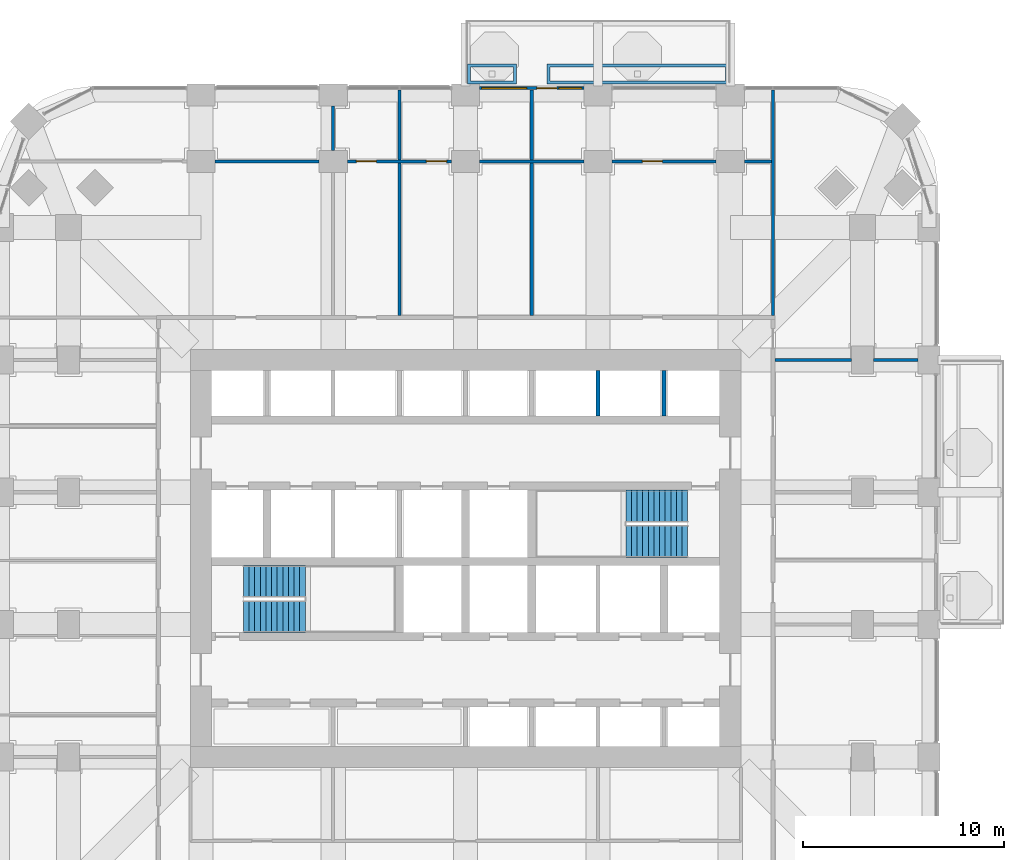
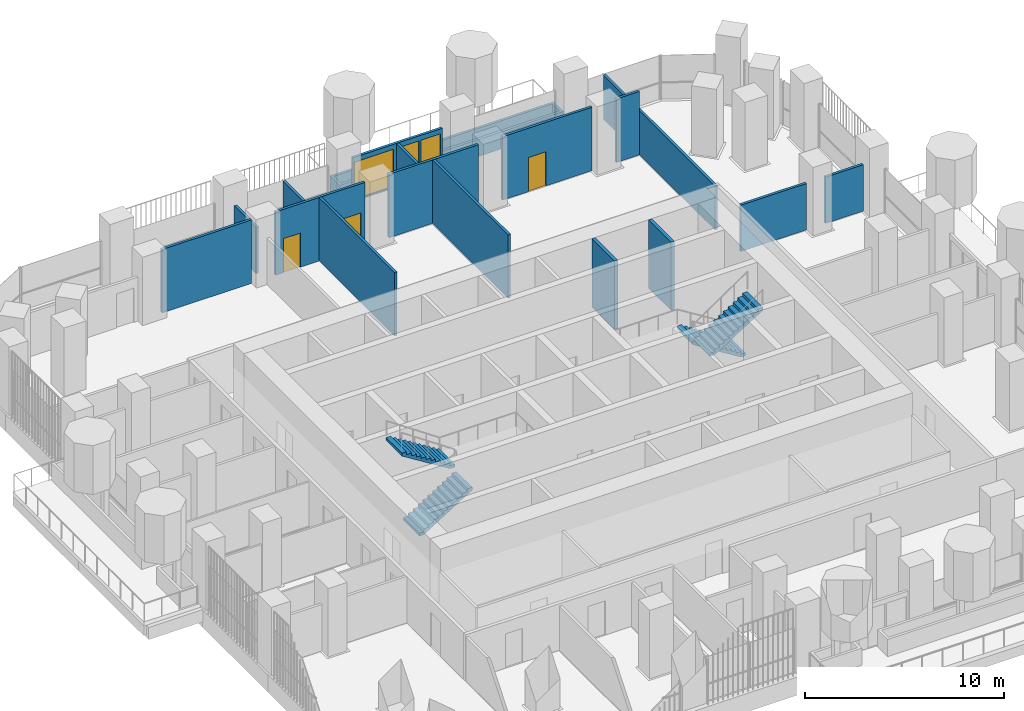
# One storey, part 17 of 22: 18 walls, 4 doors, 4 stair flights, 2 windows, 6 openings, 2 elements without a shape of their own.
"""IFC4 building model written with IfcOpenShell, lengths in metres."""

from ifc_helpers import new_model, si_unit, direction, frame, frame_2d, origin, place, context, subcontext, project, spatial, polyline, rectangle, outline, extrude, material, layer, layer_set, type_object, element, fill, aggregate, save


model = new_model("IFC4")

# Units and contexts
model_context = context("Model", 3, precision=1e-05, world=origin(), true_north=direction((0.0, 1.0)))
body_context = subcontext(model_context, "Body", "Model", "MODEL_VIEW")
ifc_project = project(units=[si_unit("LENGTHUNIT", "METRE"), si_unit("AREAUNIT", "SQUARE_METRE"), si_unit("VOLUMEUNIT", "CUBIC_METRE"), si_unit("PLANEANGLEUNIT", "RADIAN"), si_unit("MASSUNIT", "GRAM", prefix="KILO")], contexts=[model_context])

# Site, building, storey
site_placement = place(None, origin())
site = spatial("IfcSite", under=ifc_project, at=site_placement, CompositionType="ELEMENT")
building_placement = place(site_placement, origin())
building = spatial("IfcBuilding", under=site, at=building_placement, Name="Cobogo Forest Laboratory Tower", CompositionType="ELEMENT")
storey_placement = place(building_placement, frame((0.0, 0.0, 111.60009765625)))
storey = spatial("IfcBuildingStorey", under=building, at=storey_placement, Name="L25", CompositionType="ELEMENT", Elevation=111.60009765625)

# Wall, openings, door, windows
ifc_material_1 = material(Name="Aluminium framed glazed screen", Category="aluminium")
ifc_layer_1 = layer(ifc_material_1, 0.14990234375)
ifc_layer_set_1 = layer_set([ifc_layer_1], Name="GS1 glazed door screen 150")
wall_type_1 = type_object("IfcWallType", Name="GS1 glazed door screen 150", PredefinedType="SOLIDWALL", material=ifc_layer_set_1)
wall_1_placement = place(storey_placement, frame((32.300048828125, 46.550048828125, 0.0), z_axis=(0.0, 0.0, 1.0), x_axis=(-1.0, 0.0, 0.0)))
wall_1 = element("IfcWall", 1, at=wall_1_placement, inside=storey, type_object=wall_type_1, Name="Door screen BAL-N1 L25", PredefinedType="SOLIDWALL", context=body_context, shape_type="SweptSolid", body=[
    extrude(rectangle(XDim=5.199951171875, YDim=0.14990234375, at=frame_2d((2.60009765625, 0.0))), origin(), (0.0, 0.0, 1.0), 2.699951171875),
])
opening_1_placement = place(wall_1_placement, frame((1.35009765625, 0.0, 0.0)))
opening_1 = element("IfcOpeningElement", 2, at=opening_1_placement, cuts=wall_1, Name="Opening L25-D45", PredefinedType="OPENING", context=body_context, shape_type="SweptSolid", body=[
    extrude(rectangle(XDim=1.0, YDim=2.39990234375, at=frame_2d((0.5, 1.199951171875))), frame((0.0, 0.0849609375, 0.0), z_axis=(0.0, -1.0, 0.0), x_axis=(1.0, 0.0, 0.0)), (0.0, 0.0, 1.0), 0.169921875),
])
opening_2_placement = place(wall_1_placement, frame((0.10009765625, 0.0, 0.10009765625)))
opening_2 = element("IfcOpeningElement", 3, at=opening_2_placement, cuts=wall_1, Name="Opening L25-W08", PredefinedType="OPENING", context=body_context, shape_type="SweptSolid", body=[
    extrude(rectangle(XDim=1.14990234375, YDim=2.300048828125, at=frame_2d((0.574951171875, 1.14990234375))), frame((0.0, 0.0849609375, 0.0), z_axis=(0.0, -1.0, 0.0), x_axis=(1.0, 0.0, 0.0)), (0.0, 0.0, 1.0), 0.169921875),
])
opening_3_placement = place(wall_1_placement, frame((2.85009765625, 0.0, 0.10009765625)))
opening_3 = element("IfcOpeningElement", 4, at=opening_3_placement, cuts=wall_1, Name="Opening L25-W07", PredefinedType="OPENING", context=body_context, shape_type="SweptSolid", body=[
    extrude(rectangle(XDim=2.25, YDim=2.300048828125, at=frame_2d((1.125, 1.14990234375))), frame((0.0, 0.0849609375, 0.0), z_axis=(0.0, -1.0, 0.0), x_axis=(1.0, 0.0, 0.0)), (0.0, 0.0, 1.0), 0.169921875),
])
ifc_material_2 = material(Name="Aluminium glazed door", Category="aluminium")
door_type_1 = type_object("IfcDoorType", Name="DB1 balcony door 1000 glazed", OperationType="SINGLE_SWING_LEFT", PredefinedType="DOOR", material=ifc_material_2)
door_1_placement = place(opening_1_placement, origin())
door_1 = element("IfcDoor", 5, at=door_1_placement, inside=storey, type_object=door_type_1, Name="Door L25-BAL-N1", OperationType="SINGLE_SWING_LEFT", OverallHeight=2.39990234375, OverallWidth=1.0, PredefinedType="DOOR", context=body_context, shape_type="SweptSolid", body=[
    extrude(rectangle(XDim=1.0, YDim=2.39990234375, at=frame_2d((0.5, 1.199951171875))), frame((0.0, 0.02490234375, 0.0), z_axis=(0.0, -1.0, 0.0), x_axis=(1.0, 0.0, 0.0)), (0.0, 0.0, 1.0), 0.050048828125),
])
fill(opening_1, door_1)
ifc_material_3 = material(Name="Aluminium framed glazing", Category="aluminium")
window_type_1 = type_object("IfcWindowType", Name="WG15 fixed glazed light 2250x2300", PartitioningType="SINGLE_PANEL", PredefinedType="WINDOW", material=ifc_material_3)
window_1_placement = place(opening_3_placement, origin())
window_1 = element("IfcWindow", 6, at=window_1_placement, inside=storey, type_object=window_type_1, Name="Window L25-BAL-N1-2", OverallHeight=2.300048828125, OverallWidth=2.25, PartitioningType="SINGLE_PANEL", PredefinedType="WINDOW", context=body_context, shape_type="SweptSolid", body=[
    extrude(rectangle(XDim=2.25, YDim=2.300048828125, at=frame_2d((1.125, 1.14990234375))), frame((0.0, 0.030029296875, 0.0), z_axis=(0.0, -1.0, 0.0), x_axis=(1.0, 0.0, 0.0)), (0.0, 0.0, 1.0), 0.06005859375),
])
fill(opening_3, window_1)
window_type_2 = type_object("IfcWindowType", Name="WG16 fixed glazed light 1150x2300", PartitioningType="SINGLE_PANEL", PredefinedType="WINDOW", material=ifc_material_3)
window_2_placement = place(opening_2_placement, origin())
window_2 = element("IfcWindow", 7, at=window_2_placement, inside=storey, type_object=window_type_2, Name="Window L25-BAL-N1-1", OverallHeight=2.300048828125, OverallWidth=1.14990234375, PartitioningType="SINGLE_PANEL", PredefinedType="WINDOW", context=body_context, shape_type="SweptSolid", body=[
    extrude(rectangle(XDim=1.14990234375, YDim=2.300048828125, at=frame_2d((0.574951171875, 1.14990234375))), frame((0.0, 0.030029296875, 0.0), z_axis=(0.0, -1.0, 0.0), x_axis=(1.0, 0.0, 0.0)), (0.0, 0.0, 1.0), 0.06005859375),
])
fill(opening_2, window_2)

# Walls
ifc_material_4 = material(Name="Gypsum board on steel studs", Category="steel")
ifc_layer_2 = layer(ifc_material_4, 0.14990234375)
ifc_layer_set_2 = layer_set([ifc_layer_2], Name="PT1 laboratory partition 150")
wall_type_2 = type_object("IfcWallType", Name="PT1 laboratory partition 150", PredefinedType="PARTITIONING", material=ifc_layer_set_2)
wall_2_placement = place(storey_placement, frame((41.72509765625, 46.469970703125, 0.0), z_axis=(0.0, 0.0, 1.0), x_axis=(0.0, -1.0, 0.0)))
element("IfcWall", 8, at=wall_2_placement, inside=storey, type_object=wall_type_2, Name="Partition PW-NE L25", PredefinedType="PARTITIONING", context=body_context, shape_type="SweptSolid", body=[
    extrude(rectangle(XDim=11.244873046875, YDim=0.14990234375, at=frame_2d((5.62255859375, 0.0))), origin(), (0.0, 0.0, 1.0), 2.699951171875),
])
wall_3_placement = place(storey_placement, frame((48.949951171875, 33.0, 0.0), z_axis=(0.0, 0.0, 1.0), x_axis=(-1.0, 0.0, 0.0)))
element("IfcWall", 9, at=wall_3_placement, inside=storey, type_object=wall_type_2, Name="Partition CUT-E33-1 L25", PredefinedType="PARTITIONING", context=body_context, shape_type="SweptSolid", body=[
    extrude(rectangle(XDim=2.199951171875, YDim=0.14990234375, at=frame_2d((1.10009765625, 0.0))), origin(), (0.0, 0.0, 1.0), 2.849853515625),
])
wall_4_placement = place(storey_placement, frame((45.64990234375, 33.0, 0.0), z_axis=(0.0, 0.0, 1.0), x_axis=(-1.0, 0.0, 0.0)))
element("IfcWall", 10, at=wall_4_placement, inside=storey, type_object=wall_type_2, Name="Partition CUT-E33-2 L25", PredefinedType="PARTITIONING", context=body_context, shape_type="SweptSolid", body=[
    extrude(rectangle(XDim=3.824951171875, YDim=0.14990234375, at=frame_2d((1.91259765625, 0.0))), origin(), (0.0, 0.0, 1.0), 2.849853515625),
])
wall_5_placement = place(storey_placement, frame((41.64990234375, 42.89990234375, 0.0), z_axis=(0.0, 0.0, 1.0), x_axis=(-1.0, 0.0, 0.0)))
element("IfcWall", 11, at=wall_5_placement, inside=storey, type_object=wall_type_2, Name="Partition STRIP-N-1 L25", PredefinedType="PARTITIONING", context=body_context, shape_type="SweptSolid", body=[
    extrude(rectangle(XDim=1.349853515625, YDim=0.14990234375, at=frame_2d((0.6748046875, 0.0))), origin(), (0.0, 0.0, 1.0), 3.89990234375),
])

# Wall, opening, door
wall_6_placement = place(storey_placement, frame((38.89990234375, 42.89990234375, 0.0), z_axis=(0.0, 0.0, 1.0), x_axis=(-1.0, 0.0, 0.0)))
wall_6 = element("IfcWall", 12, at=wall_6_placement, inside=storey, type_object=wall_type_2, Name="Partition STRIP-N-2 L25", PredefinedType="PARTITIONING", context=body_context, shape_type="SweptSolid", body=[
    extrude(rectangle(XDim=5.199951171875, YDim=0.14990234375, at=frame_2d((2.60009765625, 0.0))), origin(), (0.0, 0.0, 1.0), 3.89990234375),
])
opening_4_placement = place(wall_6_placement, frame((2.6875, 0.0, 0.0)))
opening_4 = element("IfcOpeningElement", 13, at=opening_4_placement, cuts=wall_6, Name="Opening L25-D44", PredefinedType="OPENING", context=body_context, shape_type="SweptSolid", body=[
    extrude(rectangle(XDim=1.0, YDim=2.10009765625, at=frame_2d((0.5, 1.050048828125))), frame((0.0, 0.0849609375, 0.0), z_axis=(0.0, -1.0, 0.0), x_axis=(1.0, 0.0, 0.0)), (0.0, 0.0, 1.0), 0.169921875),
])
ifc_material_5 = material(Name="Timber fire door", Category="wood")
door_type_2 = type_object("IfcDoorType", Name="FD2 fire door 1000 EI2 30", OperationType="SINGLE_SWING_LEFT", PredefinedType="DOOR", material=ifc_material_5)
door_2_placement = place(opening_4_placement, origin())
door_2 = element("IfcDoor", 14, at=door_2_placement, inside=storey, type_object=door_type_2, Name="Door L25-N4W", OperationType="SINGLE_SWING_RIGHT", OverallHeight=2.10009765625, OverallWidth=1.0, PredefinedType="DOOR", context=body_context, shape_type="SweptSolid", body=[
    extrude(rectangle(XDim=1.0, YDim=2.10009765625, at=frame_2d((0.5, 1.050048828125))), frame((0.0, 0.02490234375, 0.0), z_axis=(0.0, -1.0, 0.0), x_axis=(1.0, 0.0, 0.0)), (0.0, 0.0, 1.0), 0.050048828125),
])
fill(opening_4, door_2)

# Wall
wall_7_placement = place(storey_placement, frame((32.300048828125, 42.89990234375, 0.0), z_axis=(0.0, 0.0, 1.0), x_axis=(-1.0, 0.0, 0.0)))
element("IfcWall", 15, at=wall_7_placement, inside=storey, type_object=wall_type_2, Name="Partition STRIP-N-3 L25", PredefinedType="PARTITIONING", context=body_context, shape_type="SweptSolid", body=[
    extrude(rectangle(XDim=5.199951171875, YDim=0.14990234375, at=frame_2d((2.60009765625, 0.0))), origin(), (0.0, 0.0, 1.0), 3.89990234375),
])

# Wall, openings, doors
wall_8_placement = place(storey_placement, frame((25.699951171875, 42.89990234375, 0.0), z_axis=(0.0, 0.0, 1.0), x_axis=(-1.0, 0.0, 0.0)))
wall_8 = element("IfcWall", 16, at=wall_8_placement, inside=storey, type_object=wall_type_2, Name="Partition STRIP-N-4 L25", PredefinedType="PARTITIONING", context=body_context, shape_type="SweptSolid", body=[
    extrude(rectangle(XDim=5.199951171875, YDim=0.14990234375, at=frame_2d((2.60009765625, 0.0))), origin(), (0.0, 0.0, 1.0), 3.89990234375),
])
opening_5_placement = place(wall_8_placement, frame((3.75, 0.0, 0.0)))
opening_5 = element("IfcOpeningElement", 17, at=opening_5_placement, cuts=wall_8, Name="Opening L25-D42", PredefinedType="OPENING", context=body_context, shape_type="SweptSolid", body=[
    extrude(rectangle(XDim=1.0, YDim=2.10009765625, at=frame_2d((0.5, 1.050048828125))), frame((0.0, 0.0849609375, 0.0), z_axis=(0.0, -1.0, 0.0), x_axis=(1.0, 0.0, 0.0)), (0.0, 0.0, 1.0), 0.169921875),
])
opening_6_placement = place(wall_8_placement, frame((0.25, 0.0, 0.0)))
opening_6 = element("IfcOpeningElement", 18, at=opening_6_placement, cuts=wall_8, Name="Opening L25-D43", PredefinedType="OPENING", context=body_context, shape_type="SweptSolid", body=[
    extrude(rectangle(XDim=1.0, YDim=2.10009765625, at=frame_2d((0.5, 1.050048828125))), frame((0.0, 0.0849609375, 0.0), z_axis=(0.0, -1.0, 0.0), x_axis=(1.0, 0.0, 0.0)), (0.0, 0.0, 1.0), 0.169921875),
])
door_3_placement = place(opening_5_placement, origin())
door_3 = element("IfcDoor", 19, at=door_3_placement, inside=storey, type_object=door_type_2, Name="Door L25-N2W", OperationType="SINGLE_SWING_RIGHT", OverallHeight=2.10009765625, OverallWidth=1.0, PredefinedType="DOOR", context=body_context, shape_type="SweptSolid", body=[
    extrude(rectangle(XDim=1.0, YDim=2.10009765625, at=frame_2d((0.5, 1.050048828125))), frame((0.0, 0.02490234375, 0.0), z_axis=(0.0, -1.0, 0.0), x_axis=(1.0, 0.0, 0.0)), (0.0, 0.0, 1.0), 0.050048828125),
])
fill(opening_5, door_3)
door_4_placement = place(opening_6_placement, origin())
door_4 = element("IfcDoor", 20, at=door_4_placement, inside=storey, type_object=door_type_2, Name="Door L25-N3W", OperationType="SINGLE_SWING_LEFT", OverallHeight=2.10009765625, OverallWidth=1.0, PredefinedType="DOOR", context=body_context, shape_type="SweptSolid", body=[
    extrude(rectangle(XDim=1.0, YDim=2.10009765625, at=frame_2d((0.5, 1.050048828125))), frame((0.0, 0.02490234375, 0.0), z_axis=(0.0, -1.0, 0.0), x_axis=(1.0, 0.0, 0.0)), (0.0, 0.0, 1.0), 0.050048828125),
])
fill(opening_6, door_4)

# Walls
wall_9_placement = place(storey_placement, frame((19.10009765625, 42.89990234375, 0.0), z_axis=(0.0, 0.0, 1.0), x_axis=(-1.0, 0.0, 0.0)))
element("IfcWall", 21, at=wall_9_placement, inside=storey, type_object=wall_type_2, Name="Partition STRIP-N-5 L25", PredefinedType="PARTITIONING", context=body_context, shape_type="SweptSolid", body=[
    extrude(rectangle(XDim=5.2001953125, YDim=0.14990234375, at=frame_2d((2.60009765625, 0.0))), origin(), (0.0, 0.0, 1.0), 3.89990234375),
])
wall_10_placement = place(storey_placement, frame((19.800048828125, 45.64990234375, 0.0), z_axis=(0.0, 0.0, 1.0), x_axis=(0.0, -1.0, 0.0)))
element("IfcWall", 22, at=wall_10_placement, inside=storey, type_object=wall_type_2, Name="Partition CUT-N19.8a-1 L25", PredefinedType="PARTITIONING", context=body_context, shape_type="SweptSolid", body=[
    extrude(rectangle(XDim=2.199951171875, YDim=0.14990234375, at=frame_2d((1.10009765625, 0.0))), origin(), (0.0, 0.0, 1.0), 2.849853515625),
])
wall_11_placement = place(storey_placement, frame((23.10009765625, 46.469970703125, 0.0), z_axis=(0.0, 0.0, 1.0), x_axis=(0.0, -1.0, 0.0)))
element("IfcWall", 23, at=wall_11_placement, inside=storey, type_object=wall_type_2, Name="Partition CUT-N23.1a-1 L25", PredefinedType="PARTITIONING", context=body_context, shape_type="SweptSolid", body=[
    extrude(rectangle(XDim=3.494873046875, YDim=0.14990234375, at=frame_2d((1.74755859375, 0.0))), origin(), (0.0, 0.0, 1.0), 2.699951171875),
])
wall_12_placement = place(storey_placement, frame((23.10009765625, 42.824951171875, 0.0), z_axis=(0.0, 0.0, 1.0), x_axis=(0.0, -1.0, 0.0)))
element("IfcWall", 24, at=wall_12_placement, inside=storey, type_object=wall_type_2, Name="Partition CUT-N23.1b-1 L25", PredefinedType="PARTITIONING", context=body_context, shape_type="SweptSolid", body=[
    extrude(rectangle(XDim=7.599853515625, YDim=0.14990234375, at=frame_2d((3.7998046875, 0.0))), origin(), (0.0, 0.0, 1.0), 3.89990234375),
])
wall_13_placement = place(storey_placement, frame((29.699951171875, 46.469970703125, 0.0), z_axis=(0.0, 0.0, 1.0), x_axis=(0.0, -1.0, 0.0)))
element("IfcWall", 25, at=wall_13_placement, inside=storey, type_object=wall_type_2, Name="Partition CUT-N29.7a-1 L25", PredefinedType="PARTITIONING", context=body_context, shape_type="SweptSolid", body=[
    extrude(rectangle(XDim=3.494873046875, YDim=0.14990234375, at=frame_2d((1.74755859375, 0.0))), origin(), (0.0, 0.0, 1.0), 2.699951171875),
])
wall_14_placement = place(storey_placement, frame((29.699951171875, 42.824951171875, 0.0), z_axis=(0.0, 0.0, 1.0), x_axis=(0.0, -1.0, 0.0)))
element("IfcWall", 26, at=wall_14_placement, inside=storey, type_object=wall_type_2, Name="Partition CUT-N29.7b-1 L25", PredefinedType="PARTITIONING", context=body_context, shape_type="SweptSolid", body=[
    extrude(rectangle(XDim=7.599853515625, YDim=0.14990234375, at=frame_2d((3.7998046875, 0.0))), origin(), (0.0, 0.0, 1.0), 3.89990234375),
])
ifc_material_6 = material(Name="Concrete HA-40 (C40/50)", Category="concrete")
ifc_layer_3 = layer(ifc_material_6, 0.14990234375)
ifc_layer_set_3 = layer_set([ifc_layer_3], Name="Planter box 1000x1050")
wall_type_3 = type_object("IfcWallType", Name="Planter box 1000x1050", PredefinedType="USERDEFINED", material=ifc_layer_set_3)
wall_15_placement = place(storey_placement, origin())
element("IfcWall", 27, at=wall_15_placement, inside=storey, type_object=wall_type_3, Name="Planter BAL-N1-1 L25", ObjectType="PLANTER", PredefinedType="USERDEFINED", context=body_context, shape_type="SweptSolid", body=[
    extrude(outline(polyline([(26.5, 46.75), (28.949951171875, 46.75), (28.949951171875, 47.75), (26.5, 47.75), (26.5, 46.75)]), holes=[polyline([(26.64990234375, 46.89990234375), (28.800048828125, 46.89990234375), (28.800048828125, 47.60009765625), (26.64990234375, 47.60009765625), (26.64990234375, 46.89990234375)])]), origin(), (0.0, 0.0, 1.0), 1.0498046875),
])
wall_16_placement = place(storey_placement, origin())
element("IfcWall", 28, at=wall_16_placement, inside=storey, type_object=wall_type_3, Name="Planter BAL-N1-2 L25", ObjectType="PLANTER", PredefinedType="USERDEFINED", context=body_context, shape_type="SweptSolid", body=[
    extrude(outline(polyline([(30.449951171875, 46.75), (39.5, 46.75), (39.5, 47.75), (30.449951171875, 47.75), (30.449951171875, 46.75)]), holes=[polyline([(30.60009765625, 46.89990234375), (39.35009765625, 46.89990234375), (39.35009765625, 47.60009765625), (30.60009765625, 47.60009765625), (30.60009765625, 46.89990234375)])]), origin(), (0.0, 0.0, 1.0), 1.0498046875),
])
ifc_material_7 = material(Name="Concrete block", Category="concrete")
ifc_layer_4 = layer(ifc_material_7, 0.199951171875)
ifc_layer_set_4 = layer_set([ifc_layer_4], Name="SW200 lift shaft separator 200")
wall_type_4 = type_object("IfcWallType", Name="SW200 lift shaft separator 200", PredefinedType="PARTITIONING", material=ifc_layer_set_4)
for number, where, z_axis, x_axis, name in (
    (29, (33.0, 30.199951171875, 0.0), (0.0, 0.0, 1.0), (0.0, 1.0, 0.0), "Core wall SEP-N6 L25"),
    (30, (36.300048828125, 30.199951171875, 0.0), (0.0, 0.0, 1.0), (0.0, 1.0, 0.0), "Core wall SEP-N7 L25"),
):
    element("IfcWall", number, at=place(storey_placement, frame(where, z_axis=z_axis, x_axis=x_axis)), inside=storey, type_object=wall_type_4, Name=name, PredefinedType="PARTITIONING", context=body_context, shape_type="SweptSolid", body=[
        extrude(rectangle(XDim=2.275146484375, YDim=0.199951171875, at=frame_2d((1.1376953125, 0.0))), origin(), (0.0, 0.0, 1.0), 4.199951171875),
    ])

# Stair, stair flights
ifc_material_8 = material(Name="Precast concrete HA-40 (C40/50)", Category="concrete")
stair_type = type_object("IfcStairType", Name="ST24 exit stair 24 risers", PredefinedType="HALF_TURN_STAIR", material=ifc_material_8)
stair_1_placement = place(storey_placement, origin())
stair_1 = element("IfcStair", 31, at=stair_1_placement, inside=storey, type_object=stair_type, Name="Stair 1 L25 to L26", PredefinedType="HALF_TURN_STAIR")
stair_flight_type = type_object("IfcStairFlightType", Name="ST stair flight 280 going", PredefinedType="STRAIGHT", material=ifc_material_8)
stair_flight_1_placement = place(storey_placement, frame((15.324951171875, 20.199951171875, 0.0), z_axis=(0.0, 0.0, 1.0), x_axis=(1.0, 0.0, 0.0)))
stair_flight_1 = element("IfcStairFlight", 32, at=stair_flight_1_placement, type_object=stair_flight_type, Name="ST1 flight 1", NumberOfRisers=12, NumberOfTreads=11, PredefinedType="STRAIGHT", RiserHeight=0.175, TreadLength=0.28, context=body_context, shape_type="SweptSolid", body=[
    extrude(outline(polyline([(0.0, 0.0), (0.0, 0.175048828125), (0.280029296875, 0.175048828125), (0.280029296875, 0.35009765625), (0.56005859375, 0.35009765625), (0.56005859375, 0.52490234375), (0.840087890625, 0.52490234375), (0.840087890625, 0.699951171875), (1.1201171875, 0.699951171875), (1.1201171875, 0.875), (1.39990234375, 0.875), (1.39990234375, 1.050048828125), (1.679931640625, 1.050048828125), (1.679931640625, 1.22509765625), (1.9599609375, 1.22509765625), (1.9599609375, 1.39990234375), (2.239990234375, 1.39990234375), (2.239990234375, 1.574951171875), (2.52001953125, 1.574951171875), (2.52001953125, 1.75), (2.800048828125, 1.75), (2.800048828125, 1.925048828125), (3.080078125, 1.925048828125), (3.080078125, 2.10009765625), (3.080078125, 1.748291015625), (0.28271484375, 0.0), (0.0, 0.0)])), frame((0.0, 0.800048828125, 0.0), z_axis=(0.0, -1.0, 0.0), x_axis=(1.0, 0.0, 0.0)), (0.0, 0.0, 1.0), 1.60009765625),
])
stair_flight_2_placement = place(storey_placement, frame((18.405029296875, 21.949951171875, 2.099853515625), z_axis=(0.0, 0.0, 1.0), x_axis=(-1.0, 0.0, 0.0)))
stair_flight_2 = element("IfcStairFlight", 33, at=stair_flight_2_placement, type_object=stair_flight_type, Name="ST1 flight 2", NumberOfRisers=12, NumberOfTreads=11, PredefinedType="STRAIGHT", RiserHeight=0.175, TreadLength=0.28, context=body_context, shape_type="SweptSolid", body=[
    extrude(outline(polyline([(0.0, 0.0), (0.0, 0.175048828125), (0.280029296875, 0.175048828125), (0.280029296875, 0.35009765625), (0.56005859375, 0.35009765625), (0.56005859375, 0.52490234375), (0.840087890625, 0.52490234375), (0.840087890625, 0.699951171875), (1.1201171875, 0.699951171875), (1.1201171875, 0.875), (1.39990234375, 0.875), (1.39990234375, 1.050048828125), (1.679931640625, 1.050048828125), (1.679931640625, 1.22509765625), (1.9599609375, 1.22509765625), (1.9599609375, 1.39990234375), (2.239990234375, 1.39990234375), (2.239990234375, 1.574951171875), (2.52001953125, 1.574951171875), (2.52001953125, 1.75), (2.800048828125, 1.75), (2.800048828125, 1.925048828125), (3.080078125, 1.925048828125), (3.080078125, 2.10009765625), (3.080078125, 1.748291015625), (0.28271484375, 0.0), (0.0, 0.0)])), frame((0.0, 0.800048828125, 0.0), z_axis=(0.0, -1.0, 0.0), x_axis=(1.0, 0.0, 0.0)), (0.0, 0.0, 1.0), 1.60009765625),
])
aggregate(stair_1, [stair_flight_1, stair_flight_2])

stair_2_placement = place(storey_placement, origin())
stair_2 = element("IfcStair", 34, at=stair_2_placement, inside=storey, type_object=stair_type, Name="Stair 2 L25 to L26", PredefinedType="HALF_TURN_STAIR")
stair_flight_3_placement = place(storey_placement, frame((37.47509765625, 25.699951171875, 0.0), z_axis=(0.0, 0.0, 1.0), x_axis=(-1.0, 0.0, 0.0)))
stair_flight_3 = element("IfcStairFlight", 35, at=stair_flight_3_placement, type_object=stair_flight_type, Name="ST2 flight 1", NumberOfRisers=12, NumberOfTreads=11, PredefinedType="STRAIGHT", RiserHeight=0.175, TreadLength=0.28, context=body_context, shape_type="SweptSolid", body=[
    extrude(outline(polyline([(0.0, 0.0), (0.0, 0.175048828125), (0.280029296875, 0.175048828125), (0.280029296875, 0.35009765625), (0.56005859375, 0.35009765625), (0.56005859375, 0.52490234375), (0.840087890625, 0.52490234375), (0.840087890625, 0.699951171875), (1.1201171875, 0.699951171875), (1.1201171875, 0.875), (1.39990234375, 0.875), (1.39990234375, 1.050048828125), (1.679931640625, 1.050048828125), (1.679931640625, 1.22509765625), (1.9599609375, 1.22509765625), (1.9599609375, 1.39990234375), (2.239990234375, 1.39990234375), (2.239990234375, 1.574951171875), (2.52001953125, 1.574951171875), (2.52001953125, 1.75), (2.800048828125, 1.75), (2.800048828125, 1.925048828125), (3.080078125, 1.925048828125), (3.080078125, 2.10009765625), (3.080078125, 1.748291015625), (0.28271484375, 0.0), (0.0, 0.0)])), frame((0.0, 0.800048828125, 0.0), z_axis=(0.0, -1.0, 0.0), x_axis=(1.0, 0.0, 0.0)), (0.0, 0.0, 1.0), 1.60009765625),
])
stair_flight_4_placement = place(storey_placement, frame((34.39501953125, 23.949951171875, 2.099853515625), z_axis=(0.0, 0.0, 1.0), x_axis=(1.0, 0.0, 0.0)))
stair_flight_4 = element("IfcStairFlight", 36, at=stair_flight_4_placement, type_object=stair_flight_type, Name="ST2 flight 2", NumberOfRisers=12, NumberOfTreads=11, PredefinedType="STRAIGHT", RiserHeight=0.175, TreadLength=0.28, context=body_context, shape_type="SweptSolid", body=[
    extrude(outline(polyline([(0.0, 0.0), (0.0, 0.175048828125), (0.280029296875, 0.175048828125), (0.280029296875, 0.35009765625), (0.56005859375, 0.35009765625), (0.56005859375, 0.52490234375), (0.840087890625, 0.52490234375), (0.840087890625, 0.699951171875), (1.1201171875, 0.699951171875), (1.1201171875, 0.875), (1.39990234375, 0.875), (1.39990234375, 1.050048828125), (1.679931640625, 1.050048828125), (1.679931640625, 1.22509765625), (1.9599609375, 1.22509765625), (1.9599609375, 1.39990234375), (2.239990234375, 1.39990234375), (2.239990234375, 1.574951171875), (2.52001953125, 1.574951171875), (2.52001953125, 1.75), (2.800048828125, 1.75), (2.800048828125, 1.925048828125), (3.080078125, 1.925048828125), (3.080078125, 2.10009765625), (3.080078125, 1.748291015625), (0.28271484375, 0.0), (0.0, 0.0)])), frame((0.0, 0.800048828125, 0.0), z_axis=(0.0, -1.0, 0.0), x_axis=(1.0, 0.0, 0.0)), (0.0, 0.0, 1.0), 1.60009765625),
])
aggregate(stair_2, [stair_flight_3, stair_flight_4])

save(model, "model.ifc")
